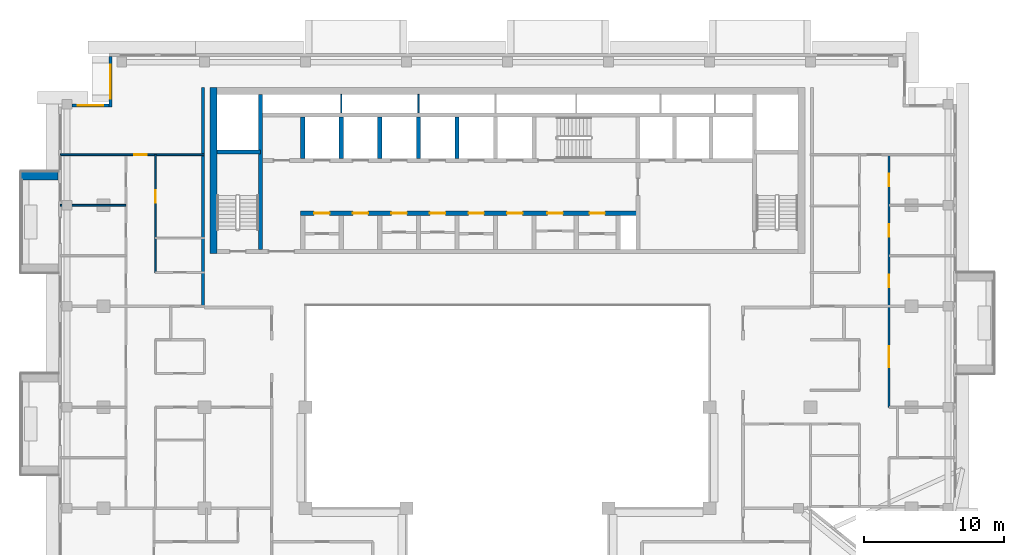
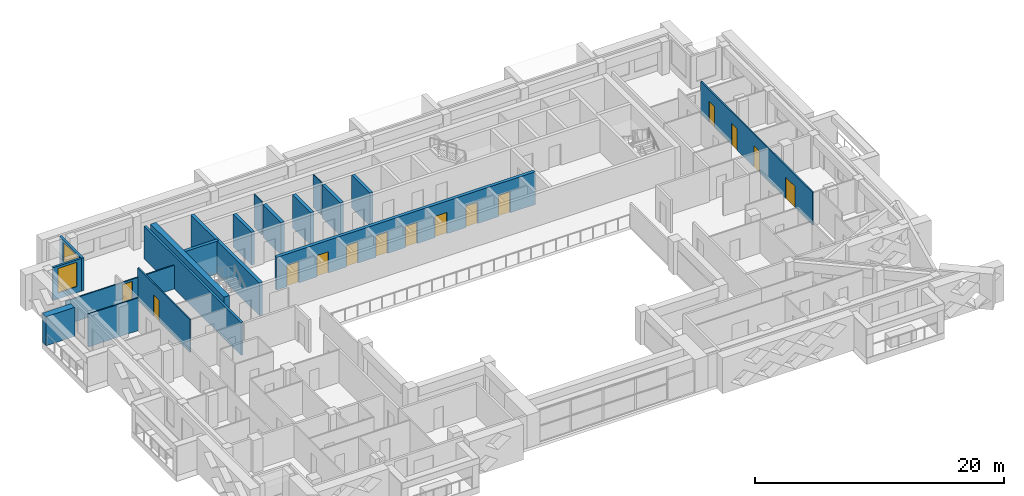
# One storey, part 10 of 19: 19 walls, 14 doors, 2 windows, 16 openings.
"""IFC4 building model written with IfcOpenShell, lengths in metres."""

from ifc_helpers import new_model, si_unit, direction, frame, frame_2d, origin, place, context, subcontext, project, spatial, rectangle, extrude, material, layer, layer_set, type_object, element, fill, save


model = new_model("IFC4")

# Units and contexts
model_context = context("Model", 3, precision=1e-05, world=origin(), true_north=direction((0.0, 1.0)))
body_context = subcontext(model_context, "Body", "Model", "MODEL_VIEW")
ifc_project = project(units=[si_unit("LENGTHUNIT", "METRE"), si_unit("AREAUNIT", "SQUARE_METRE"), si_unit("VOLUMEUNIT", "CUBIC_METRE"), si_unit("PLANEANGLEUNIT", "RADIAN"), si_unit("MASSUNIT", "GRAM", prefix="KILO")], contexts=[model_context])

# Site, building, storey
site_placement = place(None, origin())
site = spatial("IfcSite", under=ifc_project, at=site_placement, CompositionType="ELEMENT")
building_placement = place(site_placement, origin())
building = spatial("IfcBuilding", under=site, at=building_placement, Name="Saffron Iwan Residences", CompositionType="ELEMENT")
storey_placement = place(building_placement, frame((0.0, 0.0, 222.0)))
storey = spatial("IfcBuildingStorey", under=building, at=storey_placement, Name="L59", CompositionType="ELEMENT", Elevation=222.0)

# Wall
ifc_material_1 = material(Name="Concrete C50/60 white painted", Category="concrete")
ifc_layer_1 = layer(ifc_material_1, 0.60009765625)
ifc_layer_set_1 = layer_set([ifc_layer_1], Name="Concrete C50/60 white painted")
wall_type_1 = type_object("IfcWallType", Name="BALCONY FIN 600", PredefinedType="SOLIDWALL", material=ifc_layer_set_1)
wall_1_placement = place(storey_placement, frame((18.35009765625, 71.699951171875, 0.0), z_axis=(0.0, 0.0, 1.0), x_axis=(-1.0, 0.0, 0.0)))
element("IfcWall", 1, at=wall_1_placement, inside=storey, type_object=wall_type_1, Name="Balcony fin L59 F8-0a", PredefinedType="SOLIDWALL", context=body_context, shape_type="SweptSolid", body=[
    extrude(rectangle(XDim=2.650146484375, YDim=0.60009765625, at=frame_2d((1.3251953125, 0.0))), origin(), (0.0, 0.0, 1.0), 2.85009765625),
])

# Wall, opening, window
ifc_material_2 = material(Name="Concrete C40/50", Category="concrete")
ifc_layer_2 = layer(ifc_material_2, 0.199951171875)
ifc_layer_set_2 = layer_set([ifc_layer_2], Name="Concrete C40/50")
wall_type_2 = type_object("IfcWallType", Name="EXTERNAL WALL 200", PredefinedType="SOLIDWALL", material=ifc_layer_set_2)
wall_2_placement = place(storey_placement, frame((22.10009765625, 80.199951171875, 0.0), z_axis=(0.0, 0.0, 1.0), x_axis=(0.0, -1.0, 0.0)))
wall_2 = element("IfcWall", 2, at=wall_2_placement, inside=storey, type_object=wall_type_2, Name="External wall L59 F6.0", PredefinedType="SOLIDWALL", context=body_context, shape_type="SweptSolid", body=[
    extrude(rectangle(XDim=3.599853515625, YDim=0.199951171875, at=frame_2d((1.7998046875, 0.0))), origin(), (0.0, 0.0, 1.0), 3.219970703125),
])
opening_1_placement = place(wall_2_placement, frame((0.60009765625, 0.0, 0.60009765625)))
opening_1 = element("IfcOpeningElement", 3, at=opening_1_placement, cuts=wall_2, Name="Opening W1", PredefinedType="OPENING", context=body_context, shape_type="SweptSolid", body=[
    extrude(rectangle(XDim=2.39990234375, YDim=2.39990234375, at=frame_2d((1.199951171875, 1.199951171875))), frame((0.0, 0.10986328125, 0.0), z_axis=(0.0, -1.0, 0.0), x_axis=(1.0, 0.0, 0.0)), (0.0, 0.0, 1.0), 0.219970703125),
])
ifc_material_3 = material(Name="Clear glass, laminated double glazed", Category="glass")
window_type_1 = type_object("IfcWindowType", Name="WINDOW 2400 x 2400", PartitioningType="DOUBLE_PANEL_VERTICAL", PredefinedType="WINDOW", material=ifc_material_3)
window_1_placement = place(opening_1_placement, origin())
window_1 = element("IfcWindow", 4, at=window_1_placement, inside=storey, type_object=window_type_1, Name="Window L59 F6.0", OverallHeight=2.39990234375, OverallWidth=2.39990234375, PartitioningType="DOUBLE_PANEL_VERTICAL", PredefinedType="WINDOW", context=body_context, shape_type="SweptSolid", body=[
    extrude(rectangle(XDim=2.39990234375, YDim=2.39990234375, at=frame_2d((1.199951171875, 1.199951171875))), frame((0.0, 0.030029296875, 0.0), z_axis=(0.0, -1.0, 0.0), x_axis=(1.0, 0.0, 0.0)), (0.0, 0.0, 1.0), 0.06005859375),
])
fill(opening_1, window_1)

wall_3_placement = place(storey_placement, frame((22.0, 76.699951171875, 0.0), z_axis=(0.0, 0.0, 1.0), x_axis=(-1.0, 0.0, 0.0)))
wall_3 = element("IfcWall", 5, at=wall_3_placement, inside=storey, type_object=wall_type_2, Name="External wall L59 F7.0", PredefinedType="SOLIDWALL", context=body_context, shape_type="SweptSolid", body=[
    extrude(rectangle(XDim=2.64990234375, YDim=0.199951171875, at=frame_2d((1.324951171875, 0.0))), origin(), (0.0, 0.0, 1.0), 3.219970703125),
])
opening_2_placement = place(wall_3_placement, frame((0.425048828125, 0.0, 0.60009765625)))
opening_2 = element("IfcOpeningElement", 6, at=opening_2_placement, cuts=wall_3, Name="Opening W8", PredefinedType="OPENING", context=body_context, shape_type="SweptSolid", body=[
    extrude(rectangle(XDim=1.800048828125, YDim=2.39990234375, at=frame_2d((0.89990234375, 1.199951171875))), frame((0.0, 0.10986328125, 0.0), z_axis=(0.0, -1.0, 0.0), x_axis=(1.0, 0.0, 0.0)), (0.0, 0.0, 1.0), 0.219970703125),
])
window_type_2 = type_object("IfcWindowType", Name="WINDOW 1800 x 2400", PartitioningType="DOUBLE_PANEL_VERTICAL", PredefinedType="WINDOW", material=ifc_material_3)
window_2_placement = place(opening_2_placement, origin())
window_2 = element("IfcWindow", 7, at=window_2_placement, inside=storey, type_object=window_type_2, Name="Window L59 F7.0", OverallHeight=2.39990234375, OverallWidth=1.800048828125, PartitioningType="DOUBLE_PANEL_VERTICAL", PredefinedType="WINDOW", context=body_context, shape_type="SweptSolid", body=[
    extrude(rectangle(XDim=1.800048828125, YDim=2.39990234375, at=frame_2d((0.89990234375, 1.199951171875))), frame((0.0, 0.030029296875, 0.0), z_axis=(0.0, -1.0, 0.0), x_axis=(1.0, 0.0, 0.0)), (0.0, 0.0, 1.0), 0.06005859375),
])
fill(opening_2, window_2)

# Wall
ifc_material_4 = material(Name="Gypsum board partition")
ifc_layer_3 = layer(ifc_material_4, 0.1201171875)
ifc_layer_set_3 = layer_set([ifc_layer_3], Name="Gypsum board partition")
wall_type_3 = type_object("IfcWallType", Name="Flat partition 120", PredefinedType="PARTITIONING", material=ifc_layer_set_3)
wall_4_placement = place(storey_placement, frame((18.52490234375, 69.60009765625, 0.0), z_axis=(0.0, 0.0, 1.0), x_axis=(1.0, 0.0, 0.0)))
element("IfcWall", 8, at=wall_4_placement, inside=storey, type_object=wall_type_3, Name="W-L59-PART-h69.6-18.525", PredefinedType="PARTITIONING", context=body_context, shape_type="SweptSolid", body=[
    extrude(rectangle(XDim=4.675048828125, YDim=0.1201171875, at=frame_2d((2.33740234375, 0.0))), origin(), (0.0, 0.0, 1.0), 3.219970703125),
])

# Wall, opening, door
wall_5_placement = place(storey_placement, frame((18.52490234375, 73.199951171875, 0.0), z_axis=(0.0, 0.0, 1.0), x_axis=(1.0, 0.0, 0.0)))
wall_5 = element("IfcWall", 9, at=wall_5_placement, inside=storey, type_object=wall_type_3, Name="W-L59-PART-h73.2-18.525", PredefinedType="PARTITIONING", context=body_context, shape_type="SweptSolid", body=[
    extrude(rectangle(XDim=10.275146484375, YDim=0.1201171875, at=frame_2d((5.1376953125, 0.0))), origin(), (0.0, 0.0, 1.0), 2.320068359375),
])
opening_3_placement = place(wall_5_placement, frame((5.27490234375, 0.0, 0.0)))
opening_3 = element("IfcOpeningElement", 10, at=opening_3_placement, cuts=wall_5, Name="Opening FD2", PredefinedType="OPENING", context=body_context, shape_type="SweptSolid", body=[
    extrude(rectangle(XDim=0.89990234375, YDim=2.10009765625, at=frame_2d((0.449951171875, 1.050048828125))), frame((0.0, 0.070068359375, 0.0), z_axis=(0.0, -1.0, 0.0), x_axis=(1.0, 0.0, 0.0)), (0.0, 0.0, 1.0), 0.14013671875),
])
ifc_material_5 = material(Name="Timber door", Category="wood")
door_type_1 = type_object("IfcDoorType", Name="Flat door 900", OperationType="NOTDEFINED", PredefinedType="DOOR", material=ifc_material_5)
door_1_placement = place(opening_3_placement, origin())
door_1 = element("IfcDoor", 11, at=door_1_placement, inside=storey, type_object=door_type_1, Name="Door L59-029", OperationType="SINGLE_SWING_RIGHT", OverallHeight=2.10009765625, OverallWidth=0.89990234375, PredefinedType="DOOR", context=body_context, shape_type="SweptSolid", body=[
    extrude(rectangle(XDim=0.89990234375, YDim=2.10009765625, at=frame_2d((0.449951171875, 1.050048828125))), frame((0.0, 0.02490234375, 0.0), z_axis=(0.0, -1.0, 0.0), x_axis=(1.0, 0.0, 0.0)), (0.0, 0.0, 1.0), 0.050048828125),
])
fill(opening_3, door_1)

wall_6_placement = place(storey_placement, frame((25.300048828125, 64.800048828125, 0.0), z_axis=(0.0, 0.0, 1.0), x_axis=(0.0, 1.0, 0.0)))
wall_6 = element("IfcWall", 12, at=wall_6_placement, inside=storey, type_object=wall_type_3, Name="W-L59-PART-v25.3-64.8", PredefinedType="PARTITIONING", context=body_context, shape_type="SweptSolid", body=[
    extrude(rectangle(XDim=8.39990234375, YDim=0.1201171875, at=frame_2d((4.199951171875, 0.0))), origin(), (0.0, 0.0, 1.0), 3.219970703125),
])
opening_4_placement = place(wall_6_placement, frame((4.97509765625, 0.0, 0.0)))
opening_4 = element("IfcOpeningElement", 13, at=opening_4_placement, cuts=wall_6, Name="Opening FD2", PredefinedType="OPENING", context=body_context, shape_type="SweptSolid", body=[
    extrude(rectangle(XDim=0.89990234375, YDim=2.10009765625, at=frame_2d((0.449951171875, 1.050048828125))), frame((0.0, 0.070068359375, 0.0), z_axis=(0.0, -1.0, 0.0), x_axis=(1.0, 0.0, 0.0)), (0.0, 0.0, 1.0), 0.14013671875),
])
door_2_placement = place(opening_4_placement, origin())
door_2 = element("IfcDoor", 14, at=door_2_placement, inside=storey, type_object=door_type_1, Name="Door L59-031", OperationType="SINGLE_SWING_LEFT", OverallHeight=2.10009765625, OverallWidth=0.89990234375, PredefinedType="DOOR", context=body_context, shape_type="SweptSolid", body=[
    extrude(rectangle(XDim=0.89990234375, YDim=2.10009765625, at=frame_2d((0.449951171875, 1.050048828125))), frame((0.0, 0.02490234375, 0.0), z_axis=(0.0, -1.0, 0.0), x_axis=(1.0, 0.0, 0.0)), (0.0, 0.0, 1.0), 0.050048828125),
])
fill(opening_4, door_2)

# Wall, openings, doors
wall_7_placement = place(storey_placement, frame((77.60009765625, 55.199951171875, 0.0), z_axis=(0.0, 0.0, 1.0), x_axis=(0.0, 1.0, 0.0)))
wall_7 = element("IfcWall", 15, at=wall_7_placement, inside=storey, type_object=wall_type_3, Name="W-L59-PART-v77.6-55.2", PredefinedType="PARTITIONING", context=body_context, shape_type="SweptSolid", body=[
    extrude(rectangle(XDim=18.0, YDim=0.1201171875, at=frame_2d((9.0, 0.0))), origin(), (0.0, 0.0, 1.0), 3.219970703125),
])
opening_5_placement = place(wall_7_placement, frame((2.85009765625, 0.0, 0.0)))
opening_5 = element("IfcOpeningElement", 16, at=opening_5_placement, cuts=wall_7, Name="Opening FD4", PredefinedType="OPENING", context=body_context, shape_type="SweptSolid", body=[
    extrude(rectangle(XDim=1.5, YDim=2.10009765625, at=frame_2d((0.75, 1.050048828125))), frame((0.0, 0.070068359375, 0.0), z_axis=(0.0, -1.0, 0.0), x_axis=(1.0, 0.0, 0.0)), (0.0, 0.0, 1.0), 0.14013671875),
])
opening_6_placement = place(wall_7_placement, frame((8.550048828125, 0.0, 0.0)))
opening_6 = element("IfcOpeningElement", 17, at=opening_6_placement, cuts=wall_7, Name="Opening FD2", PredefinedType="OPENING", context=body_context, shape_type="SweptSolid", body=[
    extrude(rectangle(XDim=0.89990234375, YDim=2.10009765625, at=frame_2d((0.449951171875, 1.050048828125))), frame((0.0, 0.070068359375, 0.0), z_axis=(0.0, -1.0, 0.0), x_axis=(1.0, 0.0, 0.0)), (0.0, 0.0, 1.0), 0.14013671875),
])
opening_7_placement = place(wall_7_placement, frame((12.14990234375, 0.0, 0.0)))
opening_7 = element("IfcOpeningElement", 18, at=opening_7_placement, cuts=wall_7, Name="Opening FD2", PredefinedType="OPENING", context=body_context, shape_type="SweptSolid", body=[
    extrude(rectangle(XDim=0.89990234375, YDim=2.10009765625, at=frame_2d((0.449951171875, 1.050048828125))), frame((0.0, 0.070068359375, 0.0), z_axis=(0.0, -1.0, 0.0), x_axis=(1.0, 0.0, 0.0)), (0.0, 0.0, 1.0), 0.14013671875),
])
opening_8_placement = place(wall_7_placement, frame((15.75, 0.0, 0.0)))
opening_8 = element("IfcOpeningElement", 19, at=opening_8_placement, cuts=wall_7, Name="Opening FD2", PredefinedType="OPENING", context=body_context, shape_type="SweptSolid", body=[
    extrude(rectangle(XDim=0.89990234375, YDim=2.10009765625, at=frame_2d((0.449951171875, 1.050048828125))), frame((0.0, 0.070068359375, 0.0), z_axis=(0.0, -1.0, 0.0), x_axis=(1.0, 0.0, 0.0)), (0.0, 0.0, 1.0), 0.14013671875),
])
door_type_2 = type_object("IfcDoorType", Name="Double door 1500", OperationType="NOTDEFINED", PredefinedType="DOOR", material=ifc_material_5)
door_3_placement = place(opening_5_placement, origin())
door_3 = element("IfcDoor", 20, at=door_3_placement, inside=storey, type_object=door_type_2, Name="Door L59-019", OperationType="SINGLE_SWING_LEFT", OverallHeight=2.10009765625, OverallWidth=1.5, PredefinedType="DOOR", context=body_context, shape_type="SweptSolid", body=[
    extrude(rectangle(XDim=1.5, YDim=2.10009765625, at=frame_2d((0.75, 1.050048828125))), frame((0.0, 0.02490234375, 0.0), z_axis=(0.0, -1.0, 0.0), x_axis=(1.0, 0.0, 0.0)), (0.0, 0.0, 1.0), 0.050048828125),
])
fill(opening_5, door_3)
door_4_placement = place(opening_6_placement, origin())
door_4 = element("IfcDoor", 21, at=door_4_placement, inside=storey, type_object=door_type_1, Name="Door L59-034", OperationType="SINGLE_SWING_LEFT", OverallHeight=2.10009765625, OverallWidth=0.89990234375, PredefinedType="DOOR", context=body_context, shape_type="SweptSolid", body=[
    extrude(rectangle(XDim=0.89990234375, YDim=2.10009765625, at=frame_2d((0.449951171875, 1.050048828125))), frame((0.0, 0.02490234375, 0.0), z_axis=(0.0, -1.0, 0.0), x_axis=(1.0, 0.0, 0.0)), (0.0, 0.0, 1.0), 0.050048828125),
])
fill(opening_6, door_4)
door_5_placement = place(opening_7_placement, origin())
door_5 = element("IfcDoor", 22, at=door_5_placement, inside=storey, type_object=door_type_1, Name="Door L59-035", OperationType="SINGLE_SWING_RIGHT", OverallHeight=2.10009765625, OverallWidth=0.89990234375, PredefinedType="DOOR", context=body_context, shape_type="SweptSolid", body=[
    extrude(rectangle(XDim=0.89990234375, YDim=2.10009765625, at=frame_2d((0.449951171875, 1.050048828125))), frame((0.0, 0.02490234375, 0.0), z_axis=(0.0, -1.0, 0.0), x_axis=(1.0, 0.0, 0.0)), (0.0, 0.0, 1.0), 0.050048828125),
])
fill(opening_7, door_5)
door_6_placement = place(opening_8_placement, origin())
door_6 = element("IfcDoor", 23, at=door_6_placement, inside=storey, type_object=door_type_1, Name="Door L59-036", OperationType="SINGLE_SWING_LEFT", OverallHeight=2.10009765625, OverallWidth=0.89990234375, PredefinedType="DOOR", context=body_context, shape_type="SweptSolid", body=[
    extrude(rectangle(XDim=0.89990234375, YDim=2.10009765625, at=frame_2d((0.449951171875, 1.050048828125))), frame((0.0, 0.02490234375, 0.0), z_axis=(0.0, -1.0, 0.0), x_axis=(1.0, 0.0, 0.0)), (0.0, 0.0, 1.0), 0.050048828125),
])
fill(opening_8, door_6)

# Walls
ifc_material_6 = material(Name="Fire-rated gypsum board wall")
ifc_layer_4 = layer(ifc_material_6, 0.199951171875)
ifc_layer_set_4 = layer_set([ifc_layer_4], Name="Fire-rated gypsum board wall")
wall_type_4 = type_object("IfcWallType", Name="Gallery wall 200", PredefinedType="SOLIDWALL", material=ifc_layer_set_4)
wall_8_placement = place(storey_placement, frame((28.699951171875, 62.39990234375, 0.0), z_axis=(0.0, 0.0, 1.0), x_axis=(0.0, 1.0, 0.0)))
element("IfcWall", 24, at=wall_8_placement, inside=storey, type_object=wall_type_4, Name="W-L59-CORR-v28.8-62.4", PredefinedType="SOLIDWALL", context=body_context, shape_type="SweptSolid", body=[
    extrude(rectangle(XDim=15.60009765625, YDim=0.199951171875, at=frame_2d((7.800048828125, 0.0))), origin(), (0.0, 0.0, 1.0), 3.219970703125),
])
ifc_material_7 = material(Name="Fire-rated plasterboard partition")
ifc_layer_5 = layer(ifc_material_7, 0.10009765625)
ifc_layer_set_5 = layer_set([ifc_layer_5], Name="Fire-rated plasterboard partition")
wall_type_5 = type_object("IfcWallType", Name="Riser partition 100", PredefinedType="PARTITIONING", material=ifc_layer_set_5)
for number, where, z_axis, x_axis, name in (
    (25, (38.550048828125, 76.175048828125, 0.0), (0.0, 0.0, 1.0), (0.0, 1.0, 0.0), "Core partition P07"),
    (26, (44.050048828125, 76.175048828125, 0.0), (0.0, 0.0, 1.0), (0.0, 1.0, 0.0), "Core partition P08"),
):
    element("IfcWall", number, at=place(storey_placement, frame(where, z_axis=z_axis, x_axis=x_axis)), inside=storey, type_object=wall_type_5, Name=name, PredefinedType="PARTITIONING", context=body_context, shape_type="SweptSolid", body=[
        extrude(rectangle(XDim=1.324951171875, YDim=0.10009765625, at=frame_2d((0.66259765625, 0.0))), origin(), (0.0, 0.0, 1.0), 3.219970703125),
    ])

# Wall, openings, doors
ifc_layer_6 = layer(ifc_material_2, 0.300048828125)
ifc_layer_set_6 = layer_set([ifc_layer_6], Name="Concrete C40/50")
wall_type_6 = type_object("IfcWallType", Name="WALL CORE 300 C40/50 3220 HIGH", PredefinedType="SHEAR", material=ifc_layer_set_6)
wall_9_placement = place(storey_placement, frame((35.64990234375, 69.02490234375, 0.0), z_axis=(0.0, 0.0, 1.0), x_axis=(1.0, 0.0, 0.0)))
wall_9 = element("IfcWall", 27, at=wall_9_placement, inside=storey, type_object=wall_type_6, Name="Core wall", PredefinedType="SHEAR", context=body_context, shape_type="SweptSolid", body=[
    extrude(rectangle(XDim=24.050048828125, YDim=0.300048828125, at=frame_2d((12.02490234375, 0.0))), origin(), (0.0, 0.0, 1.0), 3.219970703125),
])
opening_9_placement = place(wall_9_placement, frame((0.97509765625, 0.0, 0.0)))
opening_9 = element("IfcOpeningElement", 28, at=opening_9_placement, cuts=wall_9, Name="Opening SR", PredefinedType="OPENING", context=body_context, shape_type="SweptSolid", body=[
    extrude(rectangle(XDim=1.10009765625, YDim=2.10009765625, at=frame_2d((0.550048828125, 1.050048828125))), frame((0.0, 0.16015625, 0.0), z_axis=(0.0, -1.0, 0.0), x_axis=(1.0, 0.0, 0.0)), (0.0, 0.0, 1.0), 0.320068359375),
])
opening_10_placement = place(wall_9_placement, frame((3.72509765625, 0.0, 0.0)))
opening_10 = element("IfcOpeningElement", 29, at=opening_10_placement, cuts=wall_9, Name="Opening SR", PredefinedType="OPENING", context=body_context, shape_type="SweptSolid", body=[
    extrude(rectangle(XDim=1.10009765625, YDim=2.10009765625, at=frame_2d((0.550048828125, 1.050048828125))), frame((0.0, 0.16015625, 0.0), z_axis=(0.0, -1.0, 0.0), x_axis=(1.0, 0.0, 0.0)), (0.0, 0.0, 1.0), 0.320068359375),
])
opening_11_placement = place(wall_9_placement, frame((6.47509765625, 0.0, 0.0)))
opening_11 = element("IfcOpeningElement", 30, at=opening_11_placement, cuts=wall_9, Name="Opening SR", PredefinedType="OPENING", context=body_context, shape_type="SweptSolid", body=[
    extrude(rectangle(XDim=1.10009765625, YDim=2.10009765625, at=frame_2d((0.550048828125, 1.050048828125))), frame((0.0, 0.16015625, 0.0), z_axis=(0.0, -1.0, 0.0), x_axis=(1.0, 0.0, 0.0)), (0.0, 0.0, 1.0), 0.320068359375),
])
opening_12_placement = place(wall_9_placement, frame((9.22509765625, 0.0, 0.0)))
opening_12 = element("IfcOpeningElement", 31, at=opening_12_placement, cuts=wall_9, Name="Opening SR", PredefinedType="OPENING", context=body_context, shape_type="SweptSolid", body=[
    extrude(rectangle(XDim=1.10009765625, YDim=2.10009765625, at=frame_2d((0.550048828125, 1.050048828125))), frame((0.0, 0.16015625, 0.0), z_axis=(0.0, -1.0, 0.0), x_axis=(1.0, 0.0, 0.0)), (0.0, 0.0, 1.0), 0.320068359375),
])
opening_13_placement = place(wall_9_placement, frame((11.97509765625, 0.0, 0.0)))
opening_13 = element("IfcOpeningElement", 32, at=opening_13_placement, cuts=wall_9, Name="Opening SR", PredefinedType="OPENING", context=body_context, shape_type="SweptSolid", body=[
    extrude(rectangle(XDim=1.10009765625, YDim=2.10009765625, at=frame_2d((0.550048828125, 1.050048828125))), frame((0.0, 0.16015625, 0.0), z_axis=(0.0, -1.0, 0.0), x_axis=(1.0, 0.0, 0.0)), (0.0, 0.0, 1.0), 0.320068359375),
])
opening_14_placement = place(wall_9_placement, frame((14.72509765625, 0.0, 0.0)))
opening_14 = element("IfcOpeningElement", 33, at=opening_14_placement, cuts=wall_9, Name="Opening SR", PredefinedType="OPENING", context=body_context, shape_type="SweptSolid", body=[
    extrude(rectangle(XDim=1.10009765625, YDim=2.10009765625, at=frame_2d((0.550048828125, 1.050048828125))), frame((0.0, 0.16015625, 0.0), z_axis=(0.0, -1.0, 0.0), x_axis=(1.0, 0.0, 0.0)), (0.0, 0.0, 1.0), 0.320068359375),
])
opening_15_placement = place(wall_9_placement, frame((17.60009765625, 0.0, 0.0)))
opening_15 = element("IfcOpeningElement", 34, at=opening_15_placement, cuts=wall_9, Name="Opening SR", PredefinedType="OPENING", context=body_context, shape_type="SweptSolid", body=[
    extrude(rectangle(XDim=1.10009765625, YDim=2.10009765625, at=frame_2d((0.550048828125, 1.050048828125))), frame((0.0, 0.16015625, 0.0), z_axis=(0.0, -1.0, 0.0), x_axis=(1.0, 0.0, 0.0)), (0.0, 0.0, 1.0), 0.320068359375),
])
opening_16_placement = place(wall_9_placement, frame((20.60009765625, 0.0, 0.0)))
opening_16 = element("IfcOpeningElement", 35, at=opening_16_placement, cuts=wall_9, Name="Opening SR", PredefinedType="OPENING", context=body_context, shape_type="SweptSolid", body=[
    extrude(rectangle(XDim=1.10009765625, YDim=2.10009765625, at=frame_2d((0.550048828125, 1.050048828125))), frame((0.0, 0.16015625, 0.0), z_axis=(0.0, -1.0, 0.0), x_axis=(1.0, 0.0, 0.0)), (0.0, 0.0, 1.0), 0.320068359375),
])
ifc_material_8 = material(Name="Steel fire door", Category="steel")
door_type_3 = type_object("IfcDoorType", Name="Service door 1100", OperationType="NOTDEFINED", PredefinedType="DOOR", material=ifc_material_8)
door_7_placement = place(opening_9_placement, origin())
door_7 = element("IfcDoor", 36, at=door_7_placement, inside=storey, type_object=door_type_3, Name="Door Refuse store", OperationType="SINGLE_SWING_RIGHT", OverallHeight=2.10009765625, OverallWidth=1.10009765625, PredefinedType="DOOR", context=body_context, shape_type="SweptSolid", body=[
    extrude(rectangle(XDim=1.10009765625, YDim=2.10009765625, at=frame_2d((0.550048828125, 1.050048828125))), frame((0.0, 0.02490234375, 0.0), z_axis=(0.0, -1.0, 0.0), x_axis=(1.0, 0.0, 0.0)), (0.0, 0.0, 1.0), 0.050048828125),
])
fill(opening_9, door_7)
door_8_placement = place(opening_10_placement, origin())
door_8 = element("IfcDoor", 37, at=door_8_placement, inside=storey, type_object=door_type_3, Name="Door Maintenance store", OperationType="SINGLE_SWING_LEFT", OverallHeight=2.10009765625, OverallWidth=1.10009765625, PredefinedType="DOOR", context=body_context, shape_type="SweptSolid", body=[
    extrude(rectangle(XDim=1.10009765625, YDim=2.10009765625, at=frame_2d((0.550048828125, 1.050048828125))), frame((0.0, 0.02490234375, 0.0), z_axis=(0.0, -1.0, 0.0), x_axis=(1.0, 0.0, 0.0)), (0.0, 0.0, 1.0), 0.050048828125),
])
fill(opening_10, door_8)
door_9_placement = place(opening_11_placement, origin())
door_9 = element("IfcDoor", 38, at=door_9_placement, inside=storey, type_object=door_type_3, Name="Door Linen store", OperationType="SINGLE_SWING_RIGHT", OverallHeight=2.10009765625, OverallWidth=1.10009765625, PredefinedType="DOOR", context=body_context, shape_type="SweptSolid", body=[
    extrude(rectangle(XDim=1.10009765625, YDim=2.10009765625, at=frame_2d((0.550048828125, 1.050048828125))), frame((0.0, 0.02490234375, 0.0), z_axis=(0.0, -1.0, 0.0), x_axis=(1.0, 0.0, 0.0)), (0.0, 0.0, 1.0), 0.050048828125),
])
fill(opening_11, door_9)
door_10_placement = place(opening_12_placement, origin())
door_10 = element("IfcDoor", 39, at=door_10_placement, inside=storey, type_object=door_type_3, Name="Door Pantry", OperationType="SINGLE_SWING_LEFT", OverallHeight=2.10009765625, OverallWidth=1.10009765625, PredefinedType="DOOR", context=body_context, shape_type="SweptSolid", body=[
    extrude(rectangle(XDim=1.10009765625, YDim=2.10009765625, at=frame_2d((0.550048828125, 1.050048828125))), frame((0.0, 0.02490234375, 0.0), z_axis=(0.0, -1.0, 0.0), x_axis=(1.0, 0.0, 0.0)), (0.0, 0.0, 1.0), 0.050048828125),
])
fill(opening_12, door_10)
door_11_placement = place(opening_13_placement, origin())
door_11 = element("IfcDoor", 40, at=door_11_placement, inside=storey, type_object=door_type_3, Name="Door Electrical room", OperationType="SINGLE_SWING_RIGHT", OverallHeight=2.10009765625, OverallWidth=1.10009765625, PredefinedType="DOOR", context=body_context, shape_type="SweptSolid", body=[
    extrude(rectangle(XDim=1.10009765625, YDim=2.10009765625, at=frame_2d((0.550048828125, 1.050048828125))), frame((0.0, 0.02490234375, 0.0), z_axis=(0.0, -1.0, 0.0), x_axis=(1.0, 0.0, 0.0)), (0.0, 0.0, 1.0), 0.050048828125),
])
fill(opening_13, door_11)
door_12_placement = place(opening_14_placement, origin())
door_12 = element("IfcDoor", 41, at=door_12_placement, inside=storey, type_object=door_type_3, Name="Door Luggage store", OperationType="SINGLE_SWING_LEFT", OverallHeight=2.10009765625, OverallWidth=1.10009765625, PredefinedType="DOOR", context=body_context, shape_type="SweptSolid", body=[
    extrude(rectangle(XDim=1.10009765625, YDim=2.10009765625, at=frame_2d((0.550048828125, 1.050048828125))), frame((0.0, 0.02490234375, 0.0), z_axis=(0.0, -1.0, 0.0), x_axis=(1.0, 0.0, 0.0)), (0.0, 0.0, 1.0), 0.050048828125),
])
fill(opening_14, door_12)
door_13_placement = place(opening_15_placement, origin())
door_13 = element("IfcDoor", 42, at=door_13_placement, inside=storey, type_object=door_type_3, Name="Door Furniture store", OperationType="SINGLE_SWING_RIGHT", OverallHeight=2.10009765625, OverallWidth=1.10009765625, PredefinedType="DOOR", context=body_context, shape_type="SweptSolid", body=[
    extrude(rectangle(XDim=1.10009765625, YDim=2.10009765625, at=frame_2d((0.550048828125, 1.050048828125))), frame((0.0, 0.02490234375, 0.0), z_axis=(0.0, -1.0, 0.0), x_axis=(1.0, 0.0, 0.0)), (0.0, 0.0, 1.0), 0.050048828125),
])
fill(opening_15, door_13)
door_14_placement = place(opening_16_placement, origin())
door_14 = element("IfcDoor", 43, at=door_14_placement, inside=storey, type_object=door_type_3, Name="Door Housekeeping store", OperationType="SINGLE_SWING_RIGHT", OverallHeight=2.10009765625, OverallWidth=1.10009765625, PredefinedType="DOOR", context=body_context, shape_type="SweptSolid", body=[
    extrude(rectangle(XDim=1.10009765625, YDim=2.10009765625, at=frame_2d((0.550048828125, 1.050048828125))), frame((0.0, 0.02490234375, 0.0), z_axis=(0.0, -1.0, 0.0), x_axis=(1.0, 0.0, 0.0)), (0.0, 0.0, 1.0), 0.050048828125),
])
fill(opening_16, door_14)

# Walls
wall_10_placement = place(storey_placement, frame((29.699951171875, 73.39990234375, 0.0), z_axis=(0.0, 0.0, 1.0), x_axis=(1.0, 0.0, 0.0)))
element("IfcWall", 44, at=wall_10_placement, inside=storey, type_object=wall_type_6, Name="Core wall", PredefinedType="SHEAR", context=body_context, shape_type="SweptSolid", body=[
    extrude(rectangle(XDim=3.10009765625, YDim=0.300048828125, at=frame_2d((1.550048828125, 0.0))), origin(), (0.0, 0.0, 1.0), 3.219970703125),
])
wall_11_placement = place(storey_placement, frame((32.800048828125, 66.449951171875, 0.0), z_axis=(0.0, 0.0, 1.0), x_axis=(0.0, 1.0, 0.0)))
element("IfcWall", 45, at=wall_11_placement, inside=storey, type_object=wall_type_6, Name="Core wall", PredefinedType="SHEAR", context=body_context, shape_type="SweptSolid", body=[
    extrude(rectangle(XDim=11.050048828125, YDim=0.300048828125, at=frame_2d((5.52490234375, 0.0))), origin(), (0.0, 0.0, 1.0), 3.219970703125),
])
for number, where, z_axis, x_axis, name in (
    (46, (35.800048828125, 72.925048828125, 0.0), (0.0, 0.0, 1.0), (0.0, 1.0, 0.0), "Core wall"),
    (47, (38.550048828125, 72.925048828125, 0.0), (0.0, 0.0, 1.0), (0.0, 1.0, 0.0), "Core wall"),
    (48, (41.300048828125, 72.925048828125, 0.0), (0.0, 0.0, 1.0), (0.0, 1.0, 0.0), "Core wall"),
    (49, (44.050048828125, 72.925048828125, 0.0), (0.0, 0.0, 1.0), (0.0, 1.0, 0.0), "Core wall"),
    (50, (46.800048828125, 72.925048828125, 0.0), (0.0, 0.0, 1.0), (0.0, 1.0, 0.0), "Core wall"),
):
    element("IfcWall", number, at=place(storey_placement, frame(where, z_axis=z_axis, x_axis=x_axis)), inside=storey, type_object=wall_type_6, Name=name, PredefinedType="SHEAR", context=body_context, shape_type="SweptSolid", body=[
        extrude(rectangle(XDim=2.949951171875, YDim=0.300048828125, at=frame_2d((1.47509765625, 0.0))), origin(), (0.0, 0.0, 1.0), 3.219970703125),
    ])
ifc_layer_7 = layer(ifc_material_2, 0.5)
ifc_layer_set_7 = layer_set([ifc_layer_7], Name="Concrete C40/50")
wall_type_7 = type_object("IfcWallType", Name="WALL CORE 500 C40/50 3220 HIGH", PredefinedType="SHEAR", material=ifc_layer_set_7)
wall_12_placement = place(storey_placement, frame((29.449951171875, 66.14990234375, 0.0), z_axis=(0.0, 0.0, 1.0), x_axis=(0.0, 1.0, 0.0)))
element("IfcWall", 51, at=wall_12_placement, inside=storey, type_object=wall_type_7, Name="Core wall", PredefinedType="SHEAR", context=body_context, shape_type="SweptSolid", body=[
    extrude(rectangle(XDim=11.85009765625, YDim=0.5, at=frame_2d((5.925048828125, 0.0))), origin(), (0.0, 0.0, 1.0), 3.219970703125),
])

save(model, "model.ifc")
